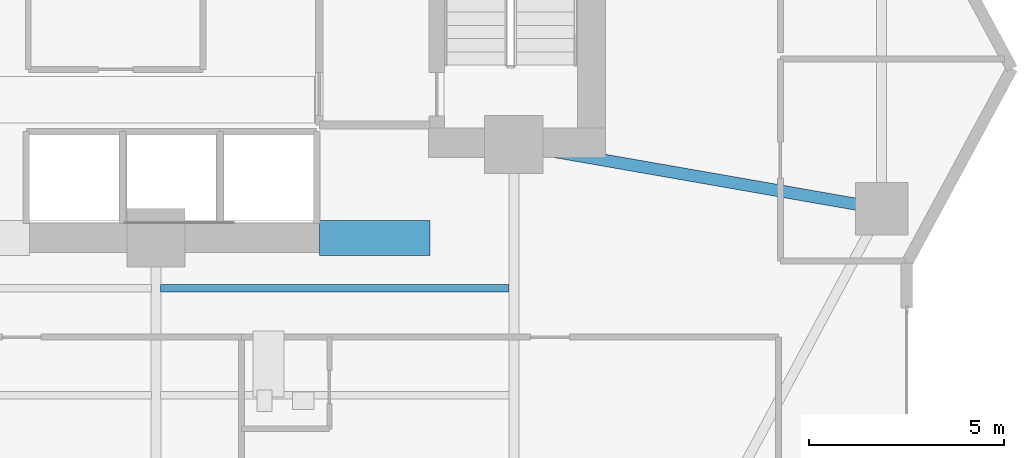
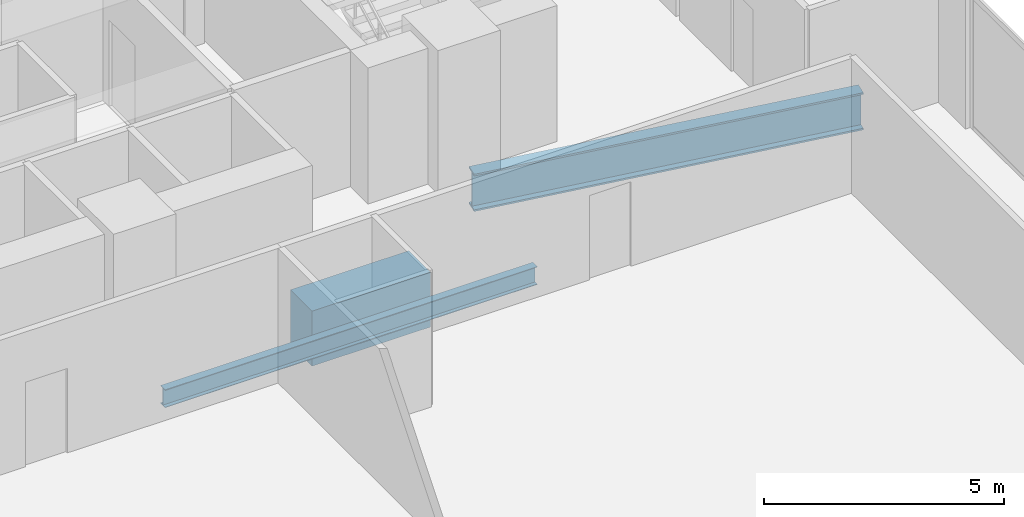
# One storey, part 12 of 28: 3 beams.
"""IFC4 building model written with IfcOpenShell, lengths in metres."""

from ifc_helpers import new_model, si_unit, direction, frame, origin, origin_2d, place, context, subcontext, project, spatial, rectangle, i_section, extrude, material, material_profile, profile_set, type_object, element, save


model = new_model("IFC4")

# Units and contexts
model_context = context("Model", 3, precision=1e-05, world=origin(), true_north=direction((0.0, 1.0)))
body_context = subcontext(model_context, "Body", "Model", "MODEL_VIEW")
ifc_project = project(units=[si_unit("LENGTHUNIT", "METRE"), si_unit("AREAUNIT", "SQUARE_METRE"), si_unit("VOLUMEUNIT", "CUBIC_METRE"), si_unit("PLANEANGLEUNIT", "RADIAN"), si_unit("MASSUNIT", "GRAM", prefix="KILO")], contexts=[model_context])

# Site, building, storey
site_placement = place(None, origin())
site = spatial("IfcSite", under=ifc_project, at=site_placement, CompositionType="ELEMENT")
building_placement = place(site_placement, origin())
building = spatial("IfcBuilding", under=site, at=building_placement, Name="Zuhayl Quay Hotel", CompositionType="ELEMENT")
storey_placement = place(building_placement, frame((0.0, 0.0, 110.25)))
storey = spatial("IfcBuildingStorey", under=building, at=storey_placement, Name="L27", CompositionType="ELEMENT", Elevation=110.25)

# Beams
ifc_material_1 = material(Name="Concrete C60/75", Category="concrete")
ifc_material_profile_1 = material_profile(ifc_material_1, rectangle(XDim=0.89990234375, YDim=1.39990234375, at=origin_2d()), Name="RC900X1400")
ifc_profile_set_1 = profile_set([ifc_material_profile_1], Name="Concrete C60/75")
beam_type_1 = type_object("IfcBeamType", Name="BM_CB1_RC900", PredefinedType="T_BEAM", material=ifc_profile_set_1)
beam_1_placement = place(storey_placement, frame((8.800048828125, 2.14990234375, -0.919921875), z_axis=(1.0, 0.0, 0.0), x_axis=(0.0, 1.0, 0.0)))
element("IfcBeam", 1, at=beam_1_placement, inside=storey, type_object=beam_type_1, Name="L27 Core Coupling Beam SE", PredefinedType="T_BEAM", context=body_context, shape_type="SweptSolid", body=[
    extrude(rectangle(XDim=0.89990234375, YDim=1.39990234375, at=origin_2d()), origin(), (0.0, 0.0, 1.0), 2.849853515625),
])
ifc_material_2 = material(Name="Steel ASTM A992 Grade 50", Category="steel")
ifc_material_profile_2 = material_profile(ifc_material_2, i_section(OverallWidth=0.18994140625, OverallDepth=0.45703125, WebThickness=0.009033203125, FlangeThickness=0.014404296875, at=origin_2d()), Name="W18X50")
ifc_profile_set_2 = profile_set([ifc_material_profile_2], Name="Steel ASTM A992 Grade 50")
beam_type_2 = type_object("IfcBeamType", Name="BM_J2_W18X50", PredefinedType="JOIST", material=ifc_profile_set_2)
beam_2_placement = place(storey_placement, frame((4.718994140625, 0.85009765625, -0.448486328125), z_axis=(1.0, 0.0, 0.0), x_axis=(0.0, 1.0, 0.0)))
element("IfcBeam", 2, at=beam_2_placement, inside=storey, type_object=beam_type_2, Name="L27 Floor Beam FJ_L27_9_3", PredefinedType="JOIST", context=body_context, shape_type="SweptSolid", body=[
    extrude(i_section(OverallWidth=0.18994140625, OverallDepth=0.45703125, WebThickness=0.009033203125, FlangeThickness=0.014404296875, at=origin_2d()), origin(), (0.0, 0.0, 1.0), 8.9619140625),
])
ifc_material_profile_3 = material_profile(ifc_material_2, i_section(OverallWidth=0.31005859375, OverallDepth=0.949951171875, WebThickness=0.0244140625, FlangeThickness=0.0439453125, at=origin_2d()), Name="W36X256")
ifc_profile_set_3 = profile_set([ifc_material_profile_3], Name="Steel ASTM A992 Grade 50")
beam_type_3 = type_object("IfcBeamType", Name="BM_PG1_W36X256", PredefinedType="BEAM", material=ifc_profile_set_3)
beam_3_placement = place(storey_placement, frame((14.243408203125, 4.47265625, -0.695068359375), z_axis=(0.985097302632, -0.171997977741, 0.0), x_axis=(0.171997977741, 0.985097302632, 0.0)))
element("IfcBeam", 3, at=beam_3_placement, inside=storey, type_object=beam_type_3, Name="L27 Floor Beam FG_E_L27_1", PredefinedType="BEAM", context=body_context, shape_type="SweptSolid", body=[
    extrude(i_section(OverallWidth=0.31005859375, OverallDepth=0.949951171875, WebThickness=0.0244140625, FlangeThickness=0.0439453125, at=origin_2d()), origin(), (0.0, 0.0, 1.0), 8.64306640625),
])

save(model, "model.ifc")
